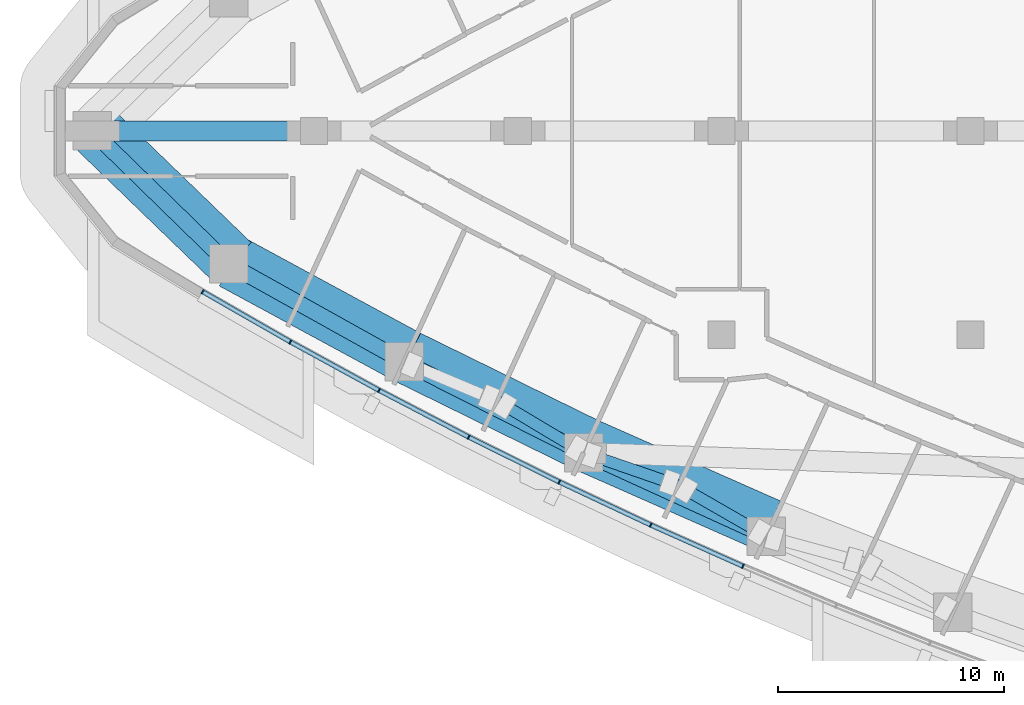
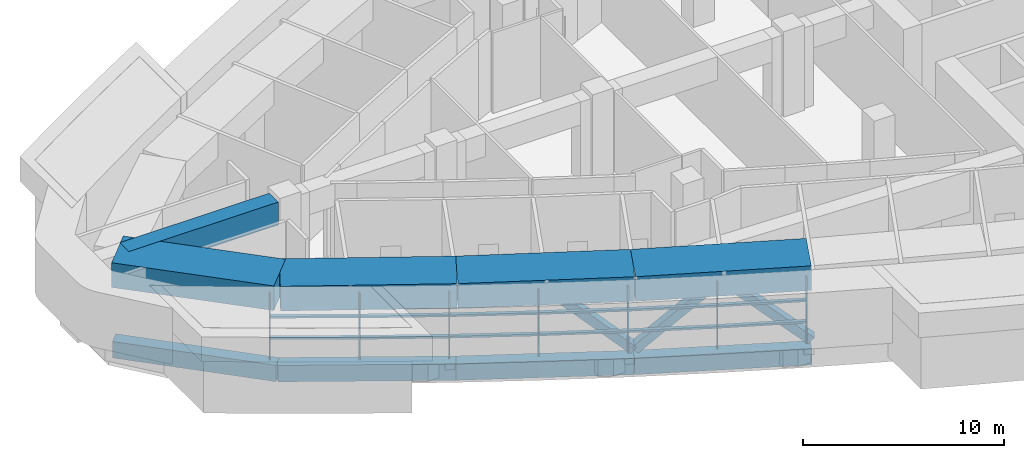
# One storey, part 2 of 19: 22 members, 9 beams, 3 elements without a shape of their own.
"""IFC4 building model written with IfcOpenShell, lengths in metres."""

import ifcopenshell
import ifcopenshell.guid

model = None  # the IFC model being written
_history = None  # IfcOwnerHistory: only IFC2X3 demands one
_inside = {}  # id of a spatial element -> (the spatial element, [elements in it])
_under = {}  # id of a project, library or spatial element -> (it, [spatial elements below it])
_declared = {}  # id of a project -> (the project, [libraries it declares])
_typed = {}  # id of a type object -> (the type object, [elements of that type])
_made_of = {}  # id of a material, layer set ... -> (it, [elements and type objects made of it])


def new_model(schema):
    """Start an empty IFC model of exactly this schema.

    Asked for "IFC4X3", IfcOpenShell would pick the latest addendum, in which some entities
    have other attributes; the version numbers below select the first issue.
    IFC2X3 requires an IfcOwnerHistory on every rooted entity: one is made here for all.
    """
    global model, _history
    if schema == "IFC4X3":
        model = ifcopenshell.file(schema_version=(4, 3, 0, 0))
    else:
        model = ifcopenshell.file(schema=schema)
    _inside.clear()
    _under.clear()
    _declared.clear()
    _typed.clear()
    _made_of.clear()
    _history = None
    if model.schema == "IFC2X3":
        org = make("IfcOrganization", Name="unknown")
        user = make(
            "IfcPersonAndOrganization",
            ThePerson=make("IfcPerson", FamilyName="unknown"),
            TheOrganization=org,
        )
        app = make(
            "IfcApplication",
            ApplicationDeveloper=org,
            Version="unknown",
            ApplicationFullName="unknown",
            ApplicationIdentifier="unknown",
        )
        _history = make(
            "IfcOwnerHistory",
            OwningUser=user,
            OwningApplication=app,
            ChangeAction="ADDED",
            CreationDate=0,
        )
    return model


def make(cls, **values):
    """One entity of the class cls with the attributes given. An attribute that is None is left unset."""
    return model.create_entity(
        cls, **{name: value for name, value in values.items() if value is not None}
    )


def rooted(cls, **values):
    """An entity with a GlobalId (a new one), such as an element, a storey or a relation."""
    return make(cls, GlobalId=ifcopenshell.guid.new(), OwnerHistory=_history, **values)


def si_unit(unit_type, name, prefix=None):
    """IfcSIUnit, for example si_unit("LENGTHUNIT", "METRE", prefix="MILLI")."""
    return make("IfcSIUnit", UnitType=unit_type, Prefix=prefix, Name=name)


def assignment(units):
    """IfcUnitAssignment: the units of a project."""
    return None if units is None else make("IfcUnitAssignment", Units=units)


def point(xyz):
    """IfcCartesianPoint."""
    return None if xyz is None else make("IfcCartesianPoint", Coordinates=xyz)


def direction(xyz):
    """IfcDirection."""
    return None if xyz is None else make("IfcDirection", DirectionRatios=xyz)


def frame(location, z_axis=None, x_axis=None):
    """IfcAxis2Placement3D, a coordinate frame: its origin and axes. An axis left out is left unset."""
    return make(
        "IfcAxis2Placement3D",
        Location=point(location),
        Axis=direction(z_axis),
        RefDirection=direction(x_axis),
    )


def frame_2d(location, x_axis=None):
    """IfcAxis2Placement2D, a coordinate frame in the plane: its origin and x axis."""
    return make(
        "IfcAxis2Placement2D", Location=point(location), RefDirection=direction(x_axis)
    )


def origin():
    """The frame at (0, 0, 0) with its axes left unset."""
    return frame((0.0, 0.0, 0.0))


def origin_2d():
    """The frame at (0, 0) in the plane with its x axis left unset."""
    return frame_2d((0.0, 0.0))


def place(relative_to, where):
    """IfcLocalPlacement: puts the frame where relative to a parent placement (None: the world)."""
    return make(
        "IfcLocalPlacement", PlacementRelTo=relative_to, RelativePlacement=where
    )


def context(
    kind, dimensions, precision=None, world=None, true_north=None, identifier=None
):
    """IfcGeometricRepresentationContext, for example the 3D "Model" context."""
    return make(
        "IfcGeometricRepresentationContext",
        ContextIdentifier=identifier,
        ContextType=kind,
        CoordinateSpaceDimension=dimensions,
        Precision=precision,
        WorldCoordinateSystem=world,
        TrueNorth=true_north,
    )


def subcontext(parent, identifier, kind, view, scale=None):
    """IfcGeometricRepresentationSubContext, for example "Body" below "Model"."""
    return make(
        "IfcGeometricRepresentationSubContext",
        ContextIdentifier=identifier,
        ContextType=kind,
        ParentContext=parent,
        TargetScale=scale,
        TargetView=view,
    )


def project(units=None, contexts=None):
    """IfcProject with its units and contexts."""
    return rooted(
        "IfcProject",
        Name="project",
        RepresentationContexts=contexts,
        UnitsInContext=assignment(units),
    )


def spatial(cls, under=None, at=None, **own):
    """A site, building, storey or space (cls), placed at a placement, below another one or the project."""
    s = rooted(cls, ObjectPlacement=at, **own)
    if under is not None:
        _under.setdefault(under.id(), (under, []))[1].append(s)
    return s


def profile(cls, at=None, kind="AREA", **sizes):
    """A parametric profile (cls). Its sizes go by their IFC names, for example OverallWidth=200.0."""
    return make(cls, ProfileType=kind, Position=at, **sizes)


def rectangle(**sizes):
    """IfcRectangleProfileDef."""
    return profile("IfcRectangleProfileDef", **sizes)


def hollow_rectangle(**sizes):
    """IfcRectangleHollowProfileDef."""
    return profile("IfcRectangleHollowProfileDef", **sizes)


def extrude(swept, where, along, depth):
    """IfcExtrudedAreaSolid: the profile swept, set in the frame where, extruded along a direction by depth."""
    return make(
        "IfcExtrudedAreaSolid",
        SweptArea=swept,
        Position=where,
        ExtrudedDirection=direction(along),
        Depth=depth,
    )


def shape(context_of_items, identifier, shape_type, items):
    """IfcShapeRepresentation: the items that make up one representation, for example the "Body"."""
    return make(
        "IfcShapeRepresentation",
        ContextOfItems=context_of_items,
        RepresentationIdentifier=identifier,
        RepresentationType=shape_type,
        Items=items,
    )


def material(Name=None, Category=None):
    """IfcMaterial."""
    return make("IfcMaterial", Name=Name, Category=Category)


def layer(
    of_material, thickness, ventilated=None, Name=None, Category=None, Priority=None
):
    """IfcMaterialLayer: one layer of a wall or slab, of a material (None: an air gap)."""
    return make(
        "IfcMaterialLayer",
        Material=of_material,
        LayerThickness=thickness,
        IsVentilated=ventilated,
        Name=Name,
        Category=Category,
        Priority=Priority,
    )


def layer_set(layers, Name=None):
    """IfcMaterialLayerSet."""
    return make("IfcMaterialLayerSet", MaterialLayers=layers, LayerSetName=Name)


def material_profile(
    of_material, cross_section, Name=None, Category=None, Priority=None
):
    """IfcMaterialProfile: a cross section and its material."""
    return make(
        "IfcMaterialProfile",
        Name=Name,
        Material=of_material,
        Profile=cross_section,
        Priority=Priority,
        Category=Category,
    )


def profile_set(profiles, Name=None, composite=None):
    """IfcMaterialProfileSet."""
    return make(
        "IfcMaterialProfileSet",
        Name=Name,
        MaterialProfiles=profiles,
        CompositeProfile=composite,
    )


def made_of(thing, what):
    """Note that an element or type object is made of a material, layer set ...; save() writes the relation."""
    if what is not None:
        _made_of.setdefault(what.id(), (what, []))[1].append(thing)
    return thing


def type_object(cls, material=None, **own):
    """A type object (cls), such as IfcWallType, which elements share."""
    return made_of(rooted(cls, **own), material)


def element(
    cls,
    number,
    at=None,
    inside=None,
    cuts=None,
    type_object=None,
    material=None,
    context=None,
    identifier="Body",
    shape_type=None,
    held_by="IfcProductDefinitionShape",
    body=None,
    shapes=None,
    **own,
):
    """One element of the class cls, such as IfcWall. Its Tag is "e" and its number.

    at: its placement. inside: the storey or other place that contains it. cuts: it is an
    opening in that element (IfcRelVoidsElement). A single representation is given by context,
    identifier, shape_type and body (its items); several are given by shapes. held_by: the class
    of the entity that holds the representations. save() writes the other relations.
    """
    e = rooted(cls, Tag="e%d" % number, ObjectPlacement=at, **own)
    if body is not None:
        shapes = [shape(context, identifier, shape_type, body)]
    if shapes is not None:
        e.Representation = make(held_by, Representations=shapes)
    if inside is not None:
        _inside.setdefault(inside.id(), (inside, []))[1].append(e)
    if cuts is not None:
        rooted(
            "IfcRelVoidsElement", RelatingBuildingElement=cuts, RelatedOpeningElement=e
        )
    if type_object is not None:
        _typed.setdefault(type_object.id(), (type_object, []))[1].append(e)
    return made_of(e, material)


def aggregate(whole, parts):
    """IfcRelAggregates: a whole, such as a stair, and the parts it consists of."""
    return rooted("IfcRelAggregates", RelatingObject=whole, RelatedObjects=parts)


def save(model, path):
    """Write the relations noted so far, then the file.

    IfcRelAggregates (storeys below a building ...), IfcRelContainedInSpatialStructure (elements
    in a storey), IfcRelDefinesByType, IfcRelAssociatesMaterial and IfcRelDeclares: one each for
    every whole, place, type object, material and project.
    """
    for whole, parts in _under.values():
        aggregate(whole, parts)
    for where, things in _inside.values():
        rooted(
            "IfcRelContainedInSpatialStructure",
            RelatedElements=things,
            RelatingStructure=where,
        )
    for kind, things in _typed.values():
        rooted("IfcRelDefinesByType", RelatedObjects=things, RelatingType=kind)
    for what, things in _made_of.values():
        rooted("IfcRelAssociatesMaterial", RelatedObjects=things, RelatingMaterial=what)
    for by, libraries in _declared.values():
        rooted("IfcRelDeclares", RelatingContext=by, RelatedDefinitions=libraries)
    model.write(path)


model = new_model("IFC4")

# Units and contexts
model_context = context("Model", 3, precision=1e-05, world=origin(), true_north=direction((0.0, 1.0)))
body_context = subcontext(model_context, "Body", "Model", "MODEL_VIEW")
ifc_project = project(units=[si_unit("LENGTHUNIT", "METRE"), si_unit("AREAUNIT", "SQUARE_METRE"), si_unit("VOLUMEUNIT", "CUBIC_METRE"), si_unit("PLANEANGLEUNIT", "RADIAN"), si_unit("MASSUNIT", "GRAM", prefix="KILO")], contexts=[model_context])

# Site, building, storey
site_placement = place(None, origin())
site = spatial("IfcSite", under=ifc_project, at=site_placement, CompositionType="ELEMENT")
building_placement = place(site_placement, origin())
building = spatial("IfcBuilding", under=site, at=building_placement, Name="Ostrand Prow Hotel Tower", CompositionType="ELEMENT")
storey_placement = place(building_placement, frame((0.0, 0.0, 120.39990234375)))
storey = spatial("IfcBuildingStorey", under=building, at=storey_placement, Name="L29", CompositionType="ELEMENT", Elevation=120.39990234375)

# Members
ifc_material_1 = material(Name="Steel S355", Category="steel")
ifc_material_profile_1 = material_profile(ifc_material_1, hollow_rectangle(XDim=0.508056640625, YDim=0.508056640625, WallThickness=0.025390625, at=origin_2d()), Name="HSS508x508x25.4")
ifc_profile_set_1 = profile_set([ifc_material_profile_1], Name="Steel S355")
member_type_1 = type_object("IfcMemberType", Name="Belt brace HSS508x508x25.4", PredefinedType="BRACE", material=ifc_profile_set_1)
member_1_placement = place(storey_placement, frame((27.906982421875, -14.212158203125, 0.0), z_axis=(-0.65563967226, 0.391660647807, 0.645552908071), x_axis=(-0.512835763629, -0.858486738129, 0.0)))
element("IfcMember", 1, at=member_1_placement, inside=storey, type_object=member_type_1, Name="Belt brace 02", PredefinedType="BRACE", context=body_context, shape_type="SweptSolid", body=[
    extrude(hollow_rectangle(XDim=0.508056640625, YDim=0.508056640625, WallThickness=0.025390625, at=origin_2d()), origin(), (0.0, 0.0, 1.0), 5.80908203125),
])
member_2_placement = place(storey_placement, frame((27.906982421875, -14.212158203125, 0.0), z_axis=(0.72092567592, -0.249777810075, 0.646434231298), x_axis=(0.327375786306, 0.944894223996, 0.0)))
element("IfcMember", 2, at=member_2_placement, inside=storey, type_object=member_type_1, Name="Belt brace 03", PredefinedType="BRACE", context=body_context, shape_type="SweptSolid", body=[
    extrude(hollow_rectangle(XDim=0.508056640625, YDim=0.508056640625, WallThickness=0.025390625, at=origin_2d()), origin(), (0.0, 0.0, 1.0), 5.801025390625),
])
member_3_placement = place(storey_placement, frame((35.98828125, -17.901611328125, 0.0), z_axis=(-0.665909495339, 0.382634239479, 0.640433901973), x_axis=(-0.498213043052, -0.867054648642, 0.0)))
element("IfcMember", 3, at=member_3_placement, inside=storey, type_object=member_type_1, Name="Belt brace 04", PredefinedType="BRACE", context=body_context, shape_type="SweptSolid", body=[
    extrude(hollow_rectangle(XDim=0.508056640625, YDim=0.508056640625, WallThickness=0.025390625, at=origin_2d()), origin(), (0.0, 0.0, 1.0), 5.85546875),
])

# Beams
ifc_material_2 = material(Name="Concrete C80/95", Category="concrete")
ifc_material_profile_2 = material_profile(ifc_material_2, rectangle(XDim=2.39990234375, YDim=1.5, at=origin_2d()), Name="RC 2400x1500")
ifc_profile_set_2 = profile_set([ifc_material_profile_2], Name="Concrete C80/95")
beam_type_1 = type_object("IfcBeamType", Name="Belt girder 2400x1500 C80/95", PredefinedType="BEAM", material=ifc_profile_set_2)
beam_1_placement = place(storey_placement, frame((6.38671875, 0.0, 4.150146484375), z_axis=(0.71936464416, -0.694632643008, 0.0), x_axis=(0.694632643008, 0.71936464416, 0.0)))
element("IfcBeam", 4, at=beam_1_placement, inside=storey, type_object=beam_type_1, Name="Belt girder P-S1", PredefinedType="BEAM", context=body_context, shape_type="SweptSolid", body=[
    extrude(rectangle(XDim=2.39990234375, YDim=1.5, at=origin_2d()), origin(), (0.0, 0.0, 1.0), 8.34130859375),
])
for number, where, z_axis, x_axis, name in (
    (5, (12.38720703125, -5.794189453125, 4.150146484375), (0.879253796632, -0.476353609316, 0.0), (0.476353609316, 0.879253796632, 0.0), "Belt girder S1-S2"),
    (6, (20.140380859375, -9.99462890625, 4.150146484375), (0.89770862887, -0.440589624995, 0.0), (0.440589624995, 0.89770862887, 0.0), "Belt girder S2-S3"),
):
    element("IfcBeam", number, at=place(storey_placement, frame(where, z_axis=z_axis, x_axis=x_axis)), inside=storey, type_object=beam_type_1, Name=name, PredefinedType="BEAM", context=body_context, shape_type="SweptSolid", body=[
        extrude(rectangle(XDim=2.39990234375, YDim=1.5, at=origin_2d()), origin(), (0.0, 0.0, 1.0), 8.81787109375),
    ])
beam_2_placement = place(storey_placement, frame((28.05615234375, -13.879638671875, 4.150146484375), z_axis=(0.914724924537, -0.404077111986, 0.0), x_axis=(0.404077111986, 0.914724924537, 0.0)))
element("IfcBeam", 7, at=beam_2_placement, inside=storey, type_object=beam_type_1, Name="Belt girder S3-S4", PredefinedType="BEAM", context=body_context, shape_type="SweptSolid", body=[
    extrude(rectangle(XDim=2.39990234375, YDim=1.5, at=origin_2d()), origin(), (0.0, 0.0, 1.0), 8.817626953125),
])
ifc_material_3 = material(Name="Concrete C80/95", Category="concrete")
ifc_material_profile_3 = material_profile(ifc_material_3, rectangle(XDim=0.699951171875, YDim=1.0, at=origin_2d()), Name="RC 700x1000")
ifc_profile_set_3 = profile_set([ifc_material_profile_3], Name="Concrete C80/95")
beam_type_2 = type_object("IfcBeamType", Name="Edge beam 700x1000 C80/95", PredefinedType="SPANDREL", material=ifc_profile_set_3)
beam_3_placement = place(storey_placement, frame((6.193115234375, 0.0, -0.89990234375), z_axis=(0.716082759826, -0.698015387423, 0.0), x_axis=(0.698015387423, 0.716082759826, 0.0)))
element("IfcBeam", 8, at=beam_3_placement, inside=storey, type_object=beam_type_2, Name="Edge beam P-S1", PredefinedType="SPANDREL", context=body_context, shape_type="SweptSolid", body=[
    extrude(rectangle(XDim=0.699951171875, YDim=1.0, at=origin_2d()), origin(), (0.0, 0.0, 1.0), 8.41845703125),
])
beam_4_placement = place(storey_placement, frame((12.221435546875, -5.876220703125, -0.89990234375), z_axis=(0.873452439955, -0.486909473245, 0.0), x_axis=(0.486909473245, 0.873452439955, 0.0)))
element("IfcBeam", 9, at=beam_4_placement, inside=storey, type_object=beam_type_2, Name="Edge beam S1-S2", PredefinedType="SPANDREL", context=body_context, shape_type="SweptSolid", body=[
    extrude(rectangle(XDim=0.699951171875, YDim=1.0, at=origin_2d()), origin(), (0.0, 0.0, 1.0), 8.883544921875),
])
beam_5_placement = place(storey_placement, frame((19.980712890625, -10.20166015625, -0.89990234375), z_axis=(0.892284288592, -0.451473973039, 0.0), x_axis=(0.451473973039, 0.892284288592, 0.0)))
element("IfcBeam", 10, at=beam_5_placement, inside=storey, type_object=beam_type_2, Name="Edge beam S2-S3", PredefinedType="SPANDREL", context=body_context, shape_type="SweptSolid", body=[
    extrude(rectangle(XDim=0.699951171875, YDim=1.0, at=origin_2d()), origin(), (0.0, 0.0, 1.0), 8.883056640625),
])
beam_6_placement = place(storey_placement, frame((27.906982421875, -14.212158203125, -0.89990234375), z_axis=(0.909681006953, -0.415307675813, 0.0), x_axis=(0.415307675813, 0.909681006953, 0.0)))
element("IfcBeam", 11, at=beam_6_placement, inside=storey, type_object=beam_type_2, Name="Edge beam S3-S4", PredefinedType="SPANDREL", context=body_context, shape_type="SweptSolid", body=[
    extrude(rectangle(XDim=0.699951171875, YDim=1.0, at=origin_2d()), origin(), (0.0, 0.0, 1.0), 8.883544921875),
])

# Curtain wall, members
ifc_material_4 = material(Name="Insulated glass in bronze anodised frame", Category="glass")
ifc_layer = layer(ifc_material_4, 0.199951171875)
ifc_layer_set = layer_set([ifc_layer], Name="Insulated glass in bronze anodised frame")
curtain_wall_type = type_object("IfcCurtainWallType", Name="Plant storey louvre wall", PredefinedType="NOTDEFINED", material=ifc_layer_set)
curtain_wall_1_placement = place(storey_placement, origin())
curtain_wall_1 = element("IfcCurtainWall", 12, at=curtain_wall_1_placement, inside=storey, type_object=curtain_wall_type, Name="CW7 run CWS1", PredefinedType="NOTDEFINED")
ifc_material_5 = material(Name="Bronze anodised aluminium", Category="aluminium")
ifc_material_profile_4 = material_profile(ifc_material_5, rectangle(XDim=0.199951171875, YDim=0.06005859375, at=origin_2d()), Name="Mullion 60x200 bronze anodised aluminium")
ifc_profile_set_4 = profile_set([ifc_material_profile_4], Name="Bronze anodised aluminium")
member_type_2 = type_object("IfcMemberType", Name="Mullion 60x200 bronze anodised aluminium", PredefinedType="MULLION", material=ifc_profile_set_4)
member_4_placement = place(storey_placement, frame((11.076416015625, -7.099853515625, 0.900146484375), z_axis=(0.0, 0.0, 1.0), x_axis=(0.497114806368, 0.867684775301, 0.0)))
member_4 = element("IfcMember", 13, at=member_4_placement, type_object=member_type_2, Name="CW7 mullion 1", PredefinedType="MULLION", context=body_context, shape_type="SweptSolid", body=[
    extrude(rectangle(XDim=0.199951171875, YDim=0.06005859375, at=origin_2d()), origin(), (0.0, 0.0, 1.0), 4.0),
])
member_5_placement = place(storey_placement, frame((14.951416015625, -9.320068359375, 0.900146484375), z_axis=(0.0, 0.0, 1.0), x_axis=(0.479637052103, 0.877466978439, 0.0)))
member_5 = element("IfcMember", 14, at=member_5_placement, type_object=member_type_2, Name="CW7 mullion 2", PredefinedType="MULLION", context=body_context, shape_type="SweptSolid", body=[
    extrude(rectangle(XDim=0.199951171875, YDim=0.06005859375, at=origin_2d()), origin(), (0.0, 0.0, 1.0), 4.0),
])
member_6_placement = place(storey_placement, frame((18.870361328125, -11.4619140625, 0.900146484375), z_axis=(0.0, 0.0, 1.0), x_axis=(0.479637052103, 0.877466978439, 0.0)))
member_6 = element("IfcMember", 15, at=member_6_placement, type_object=member_type_2, Name="CW7 mullion 3", PredefinedType="MULLION", context=body_context, shape_type="SweptSolid", body=[
    extrude(rectangle(XDim=0.199951171875, YDim=0.06005859375, at=origin_2d()), origin(), (0.0, 0.0, 1.0), 4.0),
])

curtain_wall_2_placement = place(storey_placement, origin())
curtain_wall_2 = element("IfcCurtainWall", 16, at=curtain_wall_2_placement, inside=storey, type_object=curtain_wall_type, Name="CW7 run CWS2", PredefinedType="NOTDEFINED")
member_7_placement = place(storey_placement, frame((22.831298828125, -13.525146484375, 0.900146484375), z_axis=(0.0, 0.0, 1.0), x_axis=(0.44411295748, 0.895970803653, 0.0)))
member_7 = element("IfcMember", 17, at=member_7_placement, type_object=member_type_2, Name="CW7 mullion 2", PredefinedType="MULLION", context=body_context, shape_type="SweptSolid", body=[
    extrude(rectangle(XDim=0.199951171875, YDim=0.06005859375, at=origin_2d()), origin(), (0.0, 0.0, 1.0), 4.0),
])
member_8_placement = place(storey_placement, frame((26.83251953125, -15.508544921875, 0.900146484375), z_axis=(0.0, 0.0, 1.0), x_axis=(0.44411295748, 0.895970803653, 0.0)))
member_8 = element("IfcMember", 18, at=member_8_placement, type_object=member_type_2, Name="CW7 mullion 3", PredefinedType="MULLION", context=body_context, shape_type="SweptSolid", body=[
    extrude(rectangle(XDim=0.199951171875, YDim=0.06005859375, at=origin_2d()), origin(), (0.0, 0.0, 1.0), 4.0),
])

curtain_wall_3_placement = place(storey_placement, origin())
curtain_wall_3 = element("IfcCurtainWall", 19, at=curtain_wall_3_placement, inside=storey, type_object=curtain_wall_type, Name="CW7 run CWS3", PredefinedType="NOTDEFINED")
member_9_placement = place(storey_placement, frame((30.872802734375, -17.41162109375, 0.900146484375), z_axis=(0.0, 0.0, 1.0), x_axis=(0.407874755419, 0.913037887435, 0.0)))
member_9 = element("IfcMember", 20, at=member_9_placement, type_object=member_type_2, Name="CW7 mullion 2", PredefinedType="MULLION", context=body_context, shape_type="SweptSolid", body=[
    extrude(rectangle(XDim=0.199951171875, YDim=0.06005859375, at=origin_2d()), origin(), (0.0, 0.0, 1.0), 4.0),
])
member_10_placement = place(storey_placement, frame((34.95068359375, -19.233154296875, 0.900146484375), z_axis=(0.0, 0.0, 1.0), x_axis=(0.407874755419, 0.913037887435, 0.0)))
member_10 = element("IfcMember", 21, at=member_10_placement, type_object=member_type_2, Name="CW7 mullion 3", PredefinedType="MULLION", context=body_context, shape_type="SweptSolid", body=[
    extrude(rectangle(XDim=0.199951171875, YDim=0.06005859375, at=origin_2d()), origin(), (0.0, 0.0, 1.0), 4.0),
])

# Beam
ifc_material_6 = material(Name="Concrete C80/95", Category="concrete")
ifc_material_profile_5 = material_profile(ifc_material_6, rectangle(XDim=0.89990234375, YDim=1.39990234375, at=origin_2d()), Name="RC 900x1400")
ifc_profile_set_5 = profile_set([ifc_material_profile_5], Name="Concrete C80/95")
beam_type_3 = type_object("IfcBeamType", Name="Outrigger lintel 900x1400 C80/95", PredefinedType="LINTEL", material=ifc_profile_set_5)
beam_7_placement = place(storey_placement, frame((6.793212890625, 0.0, 4.2001953125), z_axis=(1.0, 0.0, 0.0), x_axis=(0.0, 1.0, 0.0)))
element("IfcBeam", 22, at=beam_7_placement, inside=storey, type_object=beam_type_3, Name="Outrigger lintel A1", PredefinedType="LINTEL", context=body_context, shape_type="SweptSolid", body=[
    extrude(rectangle(XDim=0.89990234375, YDim=1.39990234375, at=origin_2d()), origin(), (0.0, 0.0, 1.0), 8.606689453125),
])

# Member
ifc_material_7 = material(Name="Bronze anodised aluminium", Category="aluminium")
ifc_material_profile_6 = material_profile(ifc_material_7, rectangle(XDim=0.199951171875, YDim=0.1201171875, at=origin_2d()), Name="Transom 120x200 bronze anodised aluminium")
ifc_profile_set_6 = profile_set([ifc_material_profile_6], Name="Bronze anodised aluminium")
member_type_3 = type_object("IfcMemberType", Name="Transom 120x200 bronze anodised aluminium", PredefinedType="USERDEFINED", material=ifc_profile_set_6)
member_11_placement = place(storey_placement, frame((11.1025390625, -7.11474609375, 2.2001953125), z_axis=(0.86766970623, -0.497141107625, 0.0), x_axis=(0.497141107625, 0.86766970623, 0.0)))
member_11 = element("IfcMember", 23, at=member_11_placement, type_object=member_type_3, Name="CW7 transom 1.1", ObjectType="TRANSOM", PredefinedType="USERDEFINED", context=body_context, shape_type="SweptSolid", body=[
    extrude(rectangle(XDim=0.199951171875, YDim=0.1201171875, at=origin_2d()), origin(), (0.0, 0.0, 1.0), 4.406005859375),
])

member_12_placement = place(storey_placement, frame((11.1025390625, -7.11474609375, 3.5), z_axis=(0.86766970623, -0.497141107625, 0.0), x_axis=(0.497141107625, 0.86766970623, 0.0)))
member_12 = element("IfcMember", 24, at=member_12_placement, type_object=member_type_3, Name="CW7 transom 1.2", ObjectType="TRANSOM", PredefinedType="USERDEFINED", context=body_context, shape_type="SweptSolid", body=[
    extrude(rectangle(XDim=0.199951171875, YDim=0.1201171875, at=origin_2d()), origin(), (0.0, 0.0, 1.0), 4.406005859375),
])

member_13_placement = place(storey_placement, frame((14.977783203125, -9.33447265625, 2.2001953125), z_axis=(0.877471714137, -0.479628388328, 0.0), x_axis=(0.479628388328, 0.877471714137, 0.0)))
member_13 = element("IfcMember", 25, at=member_13_placement, type_object=member_type_3, Name="CW7 transom 2.1", ObjectType="TRANSOM", PredefinedType="USERDEFINED", context=body_context, shape_type="SweptSolid", body=[
    extrude(rectangle(XDim=0.199951171875, YDim=0.1201171875, at=origin_2d()), origin(), (0.0, 0.0, 1.0), 4.406005859375),
])

member_14_placement = place(storey_placement, frame((14.977783203125, -9.33447265625, 3.5), z_axis=(0.877471714137, -0.479628388328, 0.0), x_axis=(0.479628388328, 0.877471714137, 0.0)))
member_14 = element("IfcMember", 26, at=member_14_placement, type_object=member_type_3, Name="CW7 transom 2.2", ObjectType="TRANSOM", PredefinedType="USERDEFINED", context=body_context, shape_type="SweptSolid", body=[
    extrude(rectangle(XDim=0.199951171875, YDim=0.1201171875, at=origin_2d()), origin(), (0.0, 0.0, 1.0), 4.406005859375),
])

aggregate(curtain_wall_1, [member_4, member_5, member_6, member_11, member_12, member_13, member_14])

member_15_placement = place(storey_placement, frame((18.89697265625, -11.475830078125, 2.2001953125), z_axis=(0.886901787206, -0.461958028235, 0.0), x_axis=(0.461958028235, 0.886901787206, 0.0)))
member_15 = element("IfcMember", 27, at=member_15_placement, type_object=member_type_3, Name="CW7 transom 1.1", ObjectType="TRANSOM", PredefinedType="USERDEFINED", context=body_context, shape_type="SweptSolid", body=[
    extrude(rectangle(XDim=0.199951171875, YDim=0.1201171875, at=origin_2d()), origin(), (0.0, 0.0, 1.0), 4.406005859375),
])

member_16_placement = place(storey_placement, frame((18.89697265625, -11.475830078125, 3.5), z_axis=(0.886901787206, -0.461958028235, 0.0), x_axis=(0.461958028235, 0.886901787206, 0.0)))
member_16 = element("IfcMember", 28, at=member_16_placement, type_object=member_type_3, Name="CW7 transom 1.2", ObjectType="TRANSOM", PredefinedType="USERDEFINED", context=body_context, shape_type="SweptSolid", body=[
    extrude(rectangle(XDim=0.199951171875, YDim=0.1201171875, at=origin_2d()), origin(), (0.0, 0.0, 1.0), 4.406005859375),
])

member_17_placement = place(storey_placement, frame((22.858154296875, -13.53857421875, 2.2001953125), z_axis=(0.895962348168, -0.444130015497, 0.0), x_axis=(0.444130015497, 0.895962348168, 0.0)))
member_17 = element("IfcMember", 29, at=member_17_placement, type_object=member_type_3, Name="CW7 transom 2.1", ObjectType="TRANSOM", PredefinedType="USERDEFINED", context=body_context, shape_type="SweptSolid", body=[
    extrude(rectangle(XDim=0.199951171875, YDim=0.1201171875, at=origin_2d()), origin(), (0.0, 0.0, 1.0), 4.406005859375),
])

member_18_placement = place(storey_placement, frame((22.858154296875, -13.53857421875, 3.5), z_axis=(0.895962348168, -0.444130015497, 0.0), x_axis=(0.444130015497, 0.895962348168, 0.0)))
member_18 = element("IfcMember", 30, at=member_18_placement, type_object=member_type_3, Name="CW7 transom 2.2", ObjectType="TRANSOM", PredefinedType="USERDEFINED", context=body_context, shape_type="SweptSolid", body=[
    extrude(rectangle(XDim=0.199951171875, YDim=0.1201171875, at=origin_2d()), origin(), (0.0, 0.0, 1.0), 4.406005859375),
])

aggregate(curtain_wall_2, [member_7, member_8, member_15, member_16, member_17, member_18])

member_19_placement = place(storey_placement, frame((26.859619140625, -15.521484375, 2.2001953125), z_axis=(0.904696854963, -0.42605586561, 0.0), x_axis=(0.42605586561, 0.904696854963, 0.0)))
member_19 = element("IfcMember", 31, at=member_19_placement, type_object=member_type_3, Name="CW7 transom 1.1", ObjectType="TRANSOM", PredefinedType="USERDEFINED", context=body_context, shape_type="SweptSolid", body=[
    extrude(rectangle(XDim=0.199951171875, YDim=0.1201171875, at=origin_2d()), origin(), (0.0, 0.0, 1.0), 4.406005859375),
])

member_20_placement = place(storey_placement, frame((26.859619140625, -15.521484375, 3.5), z_axis=(0.904696854963, -0.42605586561, 0.0), x_axis=(0.42605586561, 0.904696854963, 0.0)))
member_20 = element("IfcMember", 32, at=member_20_placement, type_object=member_type_3, Name="CW7 transom 1.2", ObjectType="TRANSOM", PredefinedType="USERDEFINED", context=body_context, shape_type="SweptSolid", body=[
    extrude(rectangle(XDim=0.199951171875, YDim=0.1201171875, at=origin_2d()), origin(), (0.0, 0.0, 1.0), 4.406005859375),
])

member_21_placement = place(storey_placement, frame((30.900390625, -17.423583984375, 2.2001953125), z_axis=(0.913030665163, -0.407890922271, 0.0), x_axis=(0.407890922271, 0.913030665163, 0.0)))
member_21 = element("IfcMember", 33, at=member_21_placement, type_object=member_type_3, Name="CW7 transom 2.1", ObjectType="TRANSOM", PredefinedType="USERDEFINED", context=body_context, shape_type="SweptSolid", body=[
    extrude(rectangle(XDim=0.199951171875, YDim=0.1201171875, at=origin_2d()), origin(), (0.0, 0.0, 1.0), 4.40576171875),
])

member_22_placement = place(storey_placement, frame((30.900390625, -17.423583984375, 3.5), z_axis=(0.913030665163, -0.407890922271, 0.0), x_axis=(0.407890922271, 0.913030665163, 0.0)))
member_22 = element("IfcMember", 34, at=member_22_placement, type_object=member_type_3, Name="CW7 transom 2.2", ObjectType="TRANSOM", PredefinedType="USERDEFINED", context=body_context, shape_type="SweptSolid", body=[
    extrude(rectangle(XDim=0.199951171875, YDim=0.1201171875, at=origin_2d()), origin(), (0.0, 0.0, 1.0), 4.40576171875),
])

aggregate(curtain_wall_3, [member_9, member_10, member_19, member_20, member_21, member_22])

save(model, "model.ifc")
